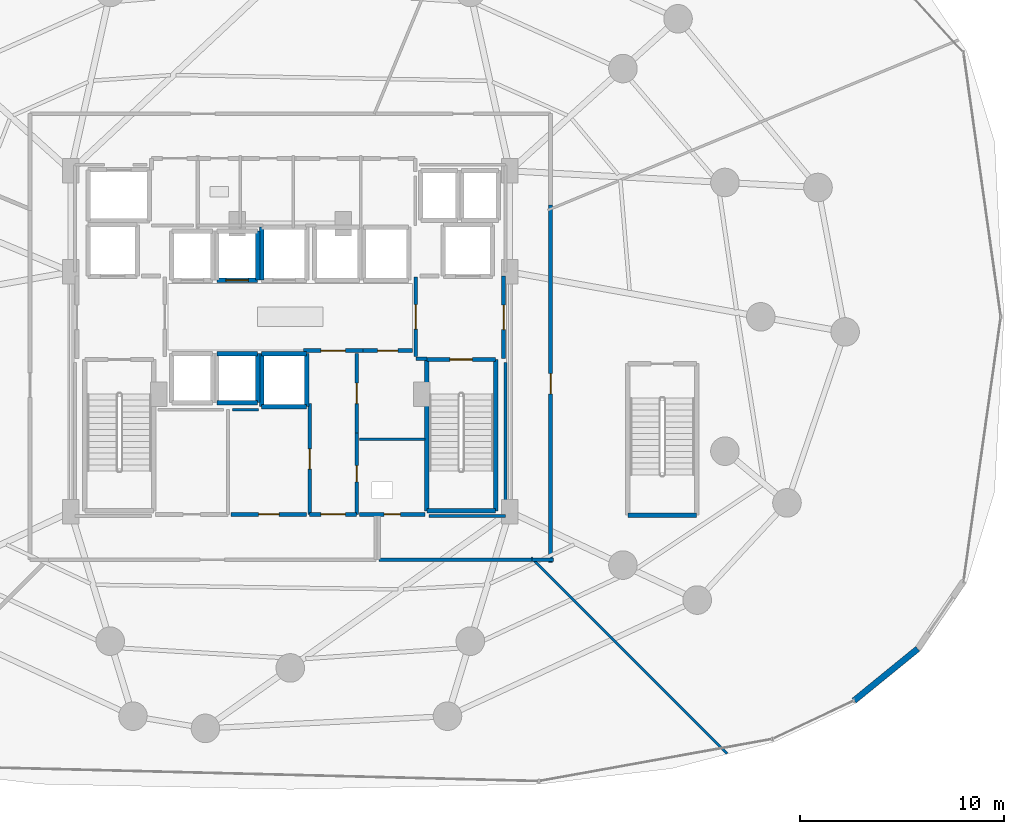
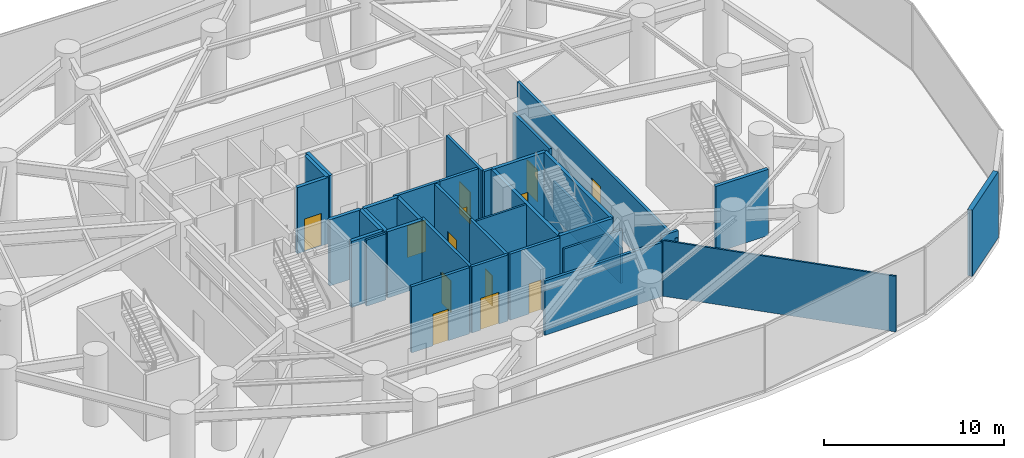
# One storey, part 22 of 26: 35 walls, 13 doors, 13 openings.
"""IFC4 building model written with IfcOpenShell, lengths in metres."""

from ifc_helpers import new_model, si_unit, direction, frame, frame_2d, origin, place, context, subcontext, project, spatial, rectangle, extrude, material, layer, layer_set, type_object, element, fill, save


model = new_model("IFC4")

# Units and contexts
model_context = context("Model", 3, precision=1e-05, world=origin(), true_north=direction((0.0, 1.0)))
body_context = subcontext(model_context, "Body", "Model", "MODEL_VIEW")
ifc_project = project(units=[si_unit("LENGTHUNIT", "METRE"), si_unit("AREAUNIT", "SQUARE_METRE"), si_unit("VOLUMEUNIT", "CUBIC_METRE"), si_unit("PLANEANGLEUNIT", "RADIAN"), si_unit("MASSUNIT", "GRAM", prefix="KILO")], contexts=[model_context])

# Site, building, storey
site_placement = place(None, origin())
site = spatial("IfcSite", under=ifc_project, at=site_placement, CompositionType="ELEMENT")
building_placement = place(site_placement, origin())
building = spatial("IfcBuilding", under=site, at=building_placement, Name="Vorneva Point Tower", CompositionType="ELEMENT")
storey_placement = place(building_placement, frame((0.0, 0.0, 14.39990234375)))
storey = spatial("IfcBuildingStorey", under=building, at=storey_placement, Name="L03", CompositionType="ELEMENT", Elevation=14.39990234375)

# Walls
ifc_material_1 = material(Name="Precast concrete B50 (C40/50)", Category="concrete")
ifc_layer_1 = layer(ifc_material_1, 0.300048828125)
ifc_layer_set_1 = layer_set([ifc_layer_1], Name="Precast concrete B50 (C40/50)")
wall_type_1 = type_object("IfcWallType", Name="WL-EXT-300", PredefinedType="STANDARD", material=ifc_layer_set_1)
wall_1_placement = place(storey_placement, frame((65.619873046875, 7.197509765625, 0.0), z_axis=(0.0, 0.0, 1.0), x_axis=(0.775604863632, 0.631218738244, 0.0)))
element("IfcWall", 1, at=wall_1_placement, inside=storey, type_object=wall_type_1, Name="L03 Pale-Metal Facade Spandrel Wall 15.1", PredefinedType="STANDARD", context=body_context, shape_type="SweptSolid", body=[
    extrude(rectangle(XDim=4.02099609375, YDim=0.300048828125, at=frame_2d((2.010498046875, 0.0))), origin(), (0.0, 0.0, 1.0), 4.47998046875),
])
ifc_material_2 = material(Name="Fire-rated acoustic gypsum stud partition", Category="gypsum")
ifc_layer_2 = layer(ifc_material_2, 0.110107421875)
ifc_layer_set_2 = layer_set([ifc_layer_2], Name="Fire-rated acoustic gypsum stud partition")
wall_type_2 = type_object("IfcWallType", Name="WL-PART-110", PredefinedType="PARTITIONING", material=ifc_layer_set_2)
wall_2_placement = place(storey_placement, frame((59.39599609375, 4.60400390625, 0.0), z_axis=(0.0, 0.0, 1.0), x_axis=(-0.707106781187, 0.707106781187, 0.0)))
element("IfcWall", 2, at=wall_2_placement, inside=storey, type_object=wall_type_2, Name="L03 Interior Partition 043", PredefinedType="PARTITIONING", context=body_context, shape_type="SweptSolid", body=[
    extrude(rectangle(XDim=13.5693359375, YDim=0.110107421875, at=frame_2d((6.78466796875, 0.0))), origin(), (0.0, 0.0, 1.0), 3.76904296875),
])
ifc_layer_3 = layer(ifc_material_2, 0.125)
ifc_layer_set_3 = layer_set([ifc_layer_3], Name="Fire-rated acoustic gypsum stud partition")
wall_type_3 = type_object("IfcWallType", Name="WL-PART-125", PredefinedType="PARTITIONING", material=ifc_layer_set_3)
wall_3_placement = place(storey_placement, frame((44.60009765625, 20.0, 0.0), z_axis=(0.0, 0.0, 1.0), x_axis=(-1.0, 0.0, 0.0)))
element("IfcWall", 3, at=wall_3_placement, inside=storey, type_object=wall_type_3, Name="L03 Interior Partition 015", PredefinedType="PARTITIONING", context=body_context, shape_type="SweptSolid", body=[
    extrude(rectangle(XDim=3.2001953125, YDim=0.125, at=frame_2d((1.60009765625, 0.0))), origin(), (0.0, 0.0, 1.0), 4.47998046875),
])
ifc_layer_4 = layer(ifc_material_2, 0.139892578125)
ifc_layer_set_4 = layer_set([ifc_layer_4], Name="Fire-rated acoustic gypsum stud partition")
wall_type_4 = type_object("IfcWallType", Name="WL-PART-140", PredefinedType="PARTITIONING", material=ifc_layer_set_4)
wall_4_placement = place(storey_placement, frame((36.43896484375, 21.449951171875, 0.0), z_axis=(0.0, 0.0, 1.0), x_axis=(-1.0, 0.0, 0.0)))
element("IfcWall", 4, at=wall_4_placement, inside=storey, type_object=wall_type_4, Name="L03 Interior Closure Partition 053", PredefinedType="PARTITIONING", context=body_context, shape_type="SweptSolid", body=[
    extrude(rectangle(XDim=1.259033203125, YDim=0.139892578125, at=frame_2d((0.62939453125, 0.0))), origin(), (0.0, 0.0, 1.0), 4.47998046875),
])
wall_5_placement = place(storey_placement, frame((48.550048828125, 23.75390625, 0.0), z_axis=(0.0, 0.0, 1.0), x_axis=(0.0, -1.0, 0.0)))
element("IfcWall", 5, at=wall_5_placement, inside=storey, type_object=wall_type_4, Name="L03 Interior Closure Partition 056", PredefinedType="PARTITIONING", context=body_context, shape_type="SweptSolid", body=[
    extrude(rectangle(XDim=7.513916015625, YDim=0.139892578125, at=frame_2d((3.7568359375, 0.0))), origin(), (0.0, 0.0, 1.0), 2.406005859375),
])
wall_6_placement = place(storey_placement, frame((48.550048828125, 16.239990234375, 0.0), z_axis=(0.0, 0.0, 1.0), x_axis=(-1.0, 0.0, 0.0)))
element("IfcWall", 6, at=wall_6_placement, inside=storey, type_object=wall_type_4, Name="L03 Interior Closure Partition 057", PredefinedType="PARTITIONING", context=body_context, shape_type="SweptSolid", body=[
    extrude(rectangle(XDim=3.7451171875, YDim=0.139892578125, at=frame_2d((1.87255859375, 0.0))), origin(), (0.0, 0.0, 1.0), 3.672119140625),
])

# Wall, opening, door
ifc_material_3 = material(Name="Autoclaved aerated concrete blockwork", Category="masonry")
ifc_layer_5 = layer(ifc_material_3, 0.179931640625)
ifc_layer_set_5 = layer_set([ifc_layer_5], Name="Autoclaved aerated concrete blockwork")
wall_type_5 = type_object("IfcWallType", Name="WL-PART-180", PredefinedType="PARTITIONING", material=ifc_layer_set_5)
wall_7_placement = place(storey_placement, frame((44.14990234375, 27.955078125, 0.0), z_axis=(0.0, 0.0, 1.0), x_axis=(0.0, -1.0, 0.0)))
wall_7 = element("IfcWall", 7, at=wall_7_placement, inside=storey, type_object=wall_type_5, Name="L03 Interior Partition 003", PredefinedType="PARTITIONING", context=body_context, shape_type="SweptSolid", body=[
    extrude(rectangle(XDim=3.91015625, YDim=0.179931640625, at=frame_2d((1.955078125, 0.0))), origin(), (0.0, 0.0, 1.0), 4.47998046875),
])
opening_1_placement = place(wall_7_placement, frame((1.35498046875, 0.0, 0.0)))
opening_1 = element("IfcOpeningElement", 8, at=opening_1_placement, cuts=wall_7, Name="Opening FD-02", PredefinedType="OPENING", context=body_context, shape_type="SweptSolid", body=[
    extrude(rectangle(XDim=1.199951171875, YDim=2.14990234375, at=frame_2d((0.60009765625, 1.074951171875))), frame((0.0, 0.10498046875, 0.0), z_axis=(0.0, -1.0, 0.0), x_axis=(1.0, 0.0, 0.0)), (0.0, 0.0, 1.0), 0.209716796875),
])
ifc_material_4 = material(Name="Fire-rated powder-coated steel", Category="steel")
door_type_1 = type_object("IfcDoorType", Name="DR-FFL-1200", OperationType="NOTDEFINED", PredefinedType="DOOR", material=ifc_material_4)
door_1_placement = place(opening_1_placement, origin())
door_1 = element("IfcDoor", 9, at=door_1_placement, inside=storey, type_object=door_type_1, Name="L03 Door East Firefighting Lobby / Central Lift Lobby", OperationType="SINGLE_SWING_LEFT", OverallHeight=2.14990234375, OverallWidth=1.199951171875, PredefinedType="DOOR", context=body_context, shape_type="SweptSolid", body=[
    extrude(rectangle(XDim=1.199951171875, YDim=2.14990234375, at=frame_2d((0.60009765625, 1.074951171875))), frame((0.0, 0.02490234375, 0.0), z_axis=(0.0, -1.0, 0.0), x_axis=(1.0, 0.0, 0.0)), (0.0, 0.0, 1.0), 0.050048828125),
])
fill(opening_1, door_1)

# Wall
wall_8_placement = place(storey_placement, frame((44.14990234375, 23.949951171875, 0.0), z_axis=(0.0, 0.0, 1.0), x_axis=(1.0, 0.0, 0.0)))
element("IfcWall", 10, at=wall_8_placement, inside=storey, type_object=wall_type_5, Name="L03 Interior Partition 004", PredefinedType="PARTITIONING", context=body_context, shape_type="SweptSolid", body=[
    extrude(rectangle(XDim=0.5400390625, YDim=0.179931640625, at=frame_2d((0.27001953125, 0.0))), origin(), (0.0, 0.0, 1.0), 4.47998046875),
])

# Wall, opening, door
wall_9_placement = place(storey_placement, frame((48.449951171875, 23.949951171875, 0.0), z_axis=(0.0, 0.0, 1.0), x_axis=(0.0, 1.0, 0.0)))
wall_9 = element("IfcWall", 11, at=wall_9_placement, inside=storey, type_object=wall_type_5, Name="L03 Interior Partition 005", PredefinedType="PARTITIONING", context=body_context, shape_type="SweptSolid", body=[
    extrude(rectangle(XDim=4.050048828125, YDim=0.179931640625, at=frame_2d((2.02490234375, 0.0))), origin(), (0.0, 0.0, 1.0), 4.47998046875),
])
opening_2_placement = place(wall_9_placement, frame((1.425048828125, 0.0, 0.0)))
opening_2 = element("IfcOpeningElement", 12, at=opening_2_placement, cuts=wall_9, Name="Opening FD-02", PredefinedType="OPENING", context=body_context, shape_type="SweptSolid", body=[
    extrude(rectangle(XDim=1.199951171875, YDim=2.14990234375, at=frame_2d((0.60009765625, 1.074951171875))), frame((0.0, 0.10498046875, 0.0), z_axis=(0.0, -1.0, 0.0), x_axis=(1.0, 0.0, 0.0)), (0.0, 0.0, 1.0), 0.209716796875),
])
door_2_placement = place(opening_2_placement, origin())
door_2 = element("IfcDoor", 13, at=door_2_placement, inside=storey, type_object=door_type_1, Name="L03 Door East Firefighting Lobby / L03 Circulation Corridor", OperationType="SINGLE_SWING_LEFT", OverallHeight=2.14990234375, OverallWidth=1.199951171875, PredefinedType="DOOR", context=body_context, shape_type="SweptSolid", body=[
    extrude(rectangle(XDim=1.199951171875, YDim=2.14990234375, at=frame_2d((0.60009765625, 1.074951171875))), frame((0.0, 0.02490234375, 0.0), z_axis=(0.0, -1.0, 0.0), x_axis=(1.0, 0.0, 0.0)), (0.0, 0.0, 1.0), 0.050048828125),
])
fill(opening_2, door_2)

wall_10_placement = place(storey_placement, frame((38.64501953125, 24.35009765625, 0.0), z_axis=(0.0, 0.0, 1.0), x_axis=(1.0, 0.0, 0.0)))
wall_10 = element("IfcWall", 14, at=wall_10_placement, inside=storey, type_object=wall_type_5, Name="L03 Interior Partition 009", PredefinedType="PARTITIONING", context=body_context, shape_type="SweptSolid", body=[
    extrude(rectangle(XDim=2.909912109375, YDim=0.179931640625, at=frame_2d((1.455078125, 0.0))), origin(), (0.0, 0.0, 1.0), 4.47998046875),
])
opening_3_placement = place(wall_10_placement, frame((0.85498046875, 0.0, 0.0)))
opening_3 = element("IfcOpeningElement", 15, at=opening_3_placement, cuts=wall_10, Name="Opening FD-02", PredefinedType="OPENING", context=body_context, shape_type="SweptSolid", body=[
    extrude(rectangle(XDim=1.199951171875, YDim=2.14990234375, at=frame_2d((0.60009765625, 1.074951171875))), frame((0.0, 0.10498046875, 0.0), z_axis=(0.0, -1.0, 0.0), x_axis=(1.0, 0.0, 0.0)), (0.0, 0.0, 1.0), 0.209716796875),
])
door_3_placement = place(opening_3_placement, origin())
door_3 = element("IfcDoor", 16, at=door_3_placement, inside=storey, type_object=door_type_1, Name="L03 Door Central Lift Lobby / Core Service Lobby", OperationType="SINGLE_SWING_RIGHT", OverallHeight=2.14990234375, OverallWidth=1.199951171875, PredefinedType="DOOR", context=body_context, shape_type="SweptSolid", body=[
    extrude(rectangle(XDim=1.199951171875, YDim=2.14990234375, at=frame_2d((0.60009765625, 1.074951171875))), frame((0.0, 0.02490234375, 0.0), z_axis=(0.0, -1.0, 0.0), x_axis=(1.0, 0.0, 0.0)), (0.0, 0.0, 1.0), 0.050048828125),
])
fill(opening_3, door_3)

wall_11_placement = place(storey_placement, frame((41.554931640625, 24.35009765625, 0.0), z_axis=(0.0, 0.0, 1.0), x_axis=(1.0, 0.0, 0.0)))
wall_11 = element("IfcWall", 17, at=wall_11_placement, inside=storey, type_object=wall_type_5, Name="L03 Interior Partition 010", PredefinedType="PARTITIONING", context=body_context, shape_type="SweptSolid", body=[
    extrude(rectangle(XDim=2.445068359375, YDim=0.179931640625, at=frame_2d((1.22265625, 0.0))), origin(), (0.0, 0.0, 1.0), 4.47998046875),
])
opening_4_placement = place(wall_11_placement, frame((0.722412109375, 0.0, 0.0)))
opening_4 = element("IfcOpeningElement", 18, at=opening_4_placement, cuts=wall_11, Name="Opening UD-01", PredefinedType="OPENING", context=body_context, shape_type="SweptSolid", body=[
    extrude(rectangle(XDim=1.0, YDim=2.14990234375, at=frame_2d((0.5, 1.074951171875))), frame((0.0, 0.10498046875, 0.0), z_axis=(0.0, -1.0, 0.0), x_axis=(1.0, 0.0, 0.0)), (0.0, 0.0, 1.0), 0.209716796875),
])
ifc_material_5 = material(Name="Engineered oak fire-rated door leaf", Category="wood")
door_type_2 = type_object("IfcDoorType", Name="DR-UNIT-1000", OperationType="NOTDEFINED", PredefinedType="DOOR", material=ifc_material_5)
door_4_placement = place(opening_4_placement, origin())
door_4 = element("IfcDoor", 19, at=door_4_placement, inside=storey, type_object=door_type_2, Name="L03 Door Central Lift Lobby / Floor Management Office", OperationType="SINGLE_SWING_LEFT", OverallHeight=2.14990234375, OverallWidth=1.0, PredefinedType="DOOR", context=body_context, shape_type="SweptSolid", body=[
    extrude(rectangle(XDim=1.0, YDim=2.14990234375, at=frame_2d((0.5, 1.074951171875))), frame((0.0, 0.02490234375, 0.0), z_axis=(0.0, -1.0, 0.0), x_axis=(1.0, 0.0, 0.0)), (0.0, 0.0, 1.0), 0.050048828125),
])
fill(opening_4, door_4)

wall_12_placement = place(storey_placement, frame((41.25, 16.320068359375, 0.0), z_axis=(0.0, 0.0, 1.0), x_axis=(0.0, 1.0, 0.0)))
wall_12 = element("IfcWall", 20, at=wall_12_placement, inside=storey, type_object=wall_type_5, Name="L03 Interior Partition 011", PredefinedType="PARTITIONING", context=body_context, shape_type="SweptSolid", body=[
    extrude(rectangle(XDim=3.98486328125, YDim=0.179931640625, at=frame_2d((1.992431640625, 0.0))), origin(), (0.0, 0.0, 1.0), 4.47998046875),
])
opening_5_placement = place(wall_12_placement, frame((1.592529296875, 0.0, 0.0)))
opening_5 = element("IfcOpeningElement", 21, at=opening_5_placement, cuts=wall_12, Name="Opening RD-01", PredefinedType="OPENING", context=body_context, shape_type="SweptSolid", body=[
    extrude(rectangle(XDim=0.800048828125, YDim=2.050048828125, at=frame_2d((0.39990234375, 1.02490234375))), frame((0.0, 0.10498046875, 0.0), z_axis=(0.0, -1.0, 0.0), x_axis=(1.0, 0.0, 0.0)), (0.0, 0.0, 1.0), 0.209716796875),
])
door_type_3 = type_object("IfcDoorType", Name="DR-RSR-800", OperationType="SINGLE_SWING_LEFT", PredefinedType="DOOR", material=ifc_material_4)
door_5_placement = place(opening_5_placement, origin())
door_5 = element("IfcDoor", 22, at=door_5_placement, inside=storey, type_object=door_type_3, Name="L03 Door Core Service Lobby / Electrical Riser", OperationType="SINGLE_SWING_RIGHT", OverallHeight=2.050048828125, OverallWidth=0.800048828125, PredefinedType="DOOR", context=body_context, shape_type="SweptSolid", body=[
    extrude(rectangle(XDim=0.800048828125, YDim=2.050048828125, at=frame_2d((0.39990234375, 1.02490234375))), frame((0.0, 0.02490234375, 0.0), z_axis=(0.0, -1.0, 0.0), x_axis=(1.0, 0.0, 0.0)), (0.0, 0.0, 1.0), 0.050048828125),
])
fill(opening_5, door_5)

wall_13_placement = place(storey_placement, frame((41.25, 20.304931640625, 0.0), z_axis=(0.0, 0.0, 1.0), x_axis=(0.0, 1.0, 0.0)))
wall_13 = element("IfcWall", 23, at=wall_13_placement, inside=storey, type_object=wall_type_5, Name="L03 Interior Partition 012", PredefinedType="PARTITIONING", context=body_context, shape_type="SweptSolid", body=[
    extrude(rectangle(XDim=3.89501953125, YDim=0.179931640625, at=frame_2d((1.947509765625, 0.0))), origin(), (0.0, 0.0, 1.0), 4.47998046875),
])
opening_6_placement = place(wall_13_placement, frame((1.447509765625, 0.0, 0.0)))
opening_6 = element("IfcOpeningElement", 24, at=opening_6_placement, cuts=wall_13, Name="Opening UD-01", PredefinedType="OPENING", context=body_context, shape_type="SweptSolid", body=[
    extrude(rectangle(XDim=1.0, YDim=2.14990234375, at=frame_2d((0.5, 1.074951171875))), frame((0.0, 0.10498046875, 0.0), z_axis=(0.0, -1.0, 0.0), x_axis=(1.0, 0.0, 0.0)), (0.0, 0.0, 1.0), 0.209716796875),
])
door_6_placement = place(opening_6_placement, origin())
door_6 = element("IfcDoor", 25, at=door_6_placement, inside=storey, type_object=door_type_2, Name="L03 Door Core Service Lobby / Floor Management Office", OperationType="SINGLE_SWING_LEFT", OverallHeight=2.14990234375, OverallWidth=1.0, PredefinedType="DOOR", context=body_context, shape_type="SweptSolid", body=[
    extrude(rectangle(XDim=1.0, YDim=2.14990234375, at=frame_2d((0.5, 1.074951171875))), frame((0.0, 0.02490234375, 0.0), z_axis=(0.0, -1.0, 0.0), x_axis=(1.0, 0.0, 0.0)), (0.0, 0.0, 1.0), 0.050048828125),
])
fill(opening_6, door_6)

wall_14_placement = place(storey_placement, frame((38.949951171875, 21.7548828125, 0.0), z_axis=(0.0, 0.0, 1.0), x_axis=(0.0, -1.0, 0.0)))
wall_14 = element("IfcWall", 26, at=wall_14_placement, inside=storey, type_object=wall_type_5, Name="L03 Interior Partition 013", PredefinedType="PARTITIONING", context=body_context, shape_type="SweptSolid", body=[
    extrude(rectangle(XDim=5.434814453125, YDim=0.179931640625, at=frame_2d((2.71728515625, 0.0))), origin(), (0.0, 0.0, 1.0), 4.47998046875),
])
opening_7_placement = place(wall_14_placement, frame((2.217529296875, 0.0, 0.0)))
opening_7 = element("IfcOpeningElement", 27, at=opening_7_placement, cuts=wall_14, Name="Opening UD-01", PredefinedType="OPENING", context=body_context, shape_type="SweptSolid", body=[
    extrude(rectangle(XDim=1.0, YDim=2.14990234375, at=frame_2d((0.5, 1.074951171875))), frame((0.0, 0.10498046875, 0.0), z_axis=(0.0, -1.0, 0.0), x_axis=(1.0, 0.0, 0.0)), (0.0, 0.0, 1.0), 0.209716796875),
])
door_7_placement = place(opening_7_placement, origin())
door_7 = element("IfcDoor", 28, at=door_7_placement, inside=storey, type_object=door_type_2, Name="L03 Door Core Service Lobby / Staff Service Pantry", OperationType="SINGLE_SWING_RIGHT", OverallHeight=2.14990234375, OverallWidth=1.0, PredefinedType="DOOR", context=body_context, shape_type="SweptSolid", body=[
    extrude(rectangle(XDim=1.0, YDim=2.14990234375, at=frame_2d((0.5, 1.074951171875))), frame((0.0, 0.02490234375, 0.0), z_axis=(0.0, -1.0, 0.0), x_axis=(1.0, 0.0, 0.0)), (0.0, 0.0, 1.0), 0.050048828125),
])
fill(opening_7, door_7)

wall_15_placement = place(storey_placement, frame((38.949951171875, 16.320068359375, 0.0), z_axis=(0.0, 0.0, 1.0), x_axis=(1.0, 0.0, 0.0)))
wall_15 = element("IfcWall", 29, at=wall_15_placement, inside=storey, type_object=wall_type_5, Name="L03 Interior Partition 014", PredefinedType="PARTITIONING", context=body_context, shape_type="SweptSolid", body=[
    extrude(rectangle(XDim=2.300048828125, YDim=0.179931640625, at=frame_2d((1.14990234375, 0.0))), origin(), (0.0, 0.0, 1.0), 4.47998046875),
])
opening_8_placement = place(wall_15_placement, frame((0.550048828125, 0.0, 0.0)))
opening_8 = element("IfcOpeningElement", 30, at=opening_8_placement, cuts=wall_15, Name="Opening FD-02", PredefinedType="OPENING", context=body_context, shape_type="SweptSolid", body=[
    extrude(rectangle(XDim=1.199951171875, YDim=2.14990234375, at=frame_2d((0.60009765625, 1.074951171875))), frame((0.0, 0.10498046875, 0.0), z_axis=(0.0, -1.0, 0.0), x_axis=(1.0, 0.0, 0.0)), (0.0, 0.0, 1.0), 0.209716796875),
])
door_8_placement = place(opening_8_placement, origin())
door_8 = element("IfcDoor", 31, at=door_8_placement, inside=storey, type_object=door_type_1, Name="L03 Door Core Service Lobby / L03 Circulation Corridor", OperationType="SINGLE_SWING_LEFT", OverallHeight=2.14990234375, OverallWidth=1.199951171875, PredefinedType="DOOR", context=body_context, shape_type="SweptSolid", body=[
    extrude(rectangle(XDim=1.199951171875, YDim=2.14990234375, at=frame_2d((0.60009765625, 1.074951171875))), frame((0.0, 0.02490234375, 0.0), z_axis=(0.0, -1.0, 0.0), x_axis=(1.0, 0.0, 0.0)), (0.0, 0.0, 1.0), 0.050048828125),
])
fill(opening_8, door_8)

wall_16_placement = place(storey_placement, frame((41.39990234375, 16.320068359375, 0.0), z_axis=(0.0, 0.0, 1.0), x_axis=(1.0, 0.0, 0.0)))
wall_16 = element("IfcWall", 32, at=wall_16_placement, inside=storey, type_object=wall_type_5, Name="L03 Interior Partition 016", PredefinedType="PARTITIONING", context=body_context, shape_type="SweptSolid", body=[
    extrude(rectangle(XDim=3.2001953125, YDim=0.179931640625, at=frame_2d((1.60009765625, 0.0))), origin(), (0.0, 0.0, 1.0), 4.47998046875),
])
opening_9_placement = place(wall_16_placement, frame((1.199951171875, 0.0, 0.0)))
opening_9 = element("IfcOpeningElement", 33, at=opening_9_placement, cuts=wall_16, Name="Opening RD-01", PredefinedType="OPENING", context=body_context, shape_type="SweptSolid", body=[
    extrude(rectangle(XDim=0.800048828125, YDim=2.050048828125, at=frame_2d((0.39990234375, 1.02490234375))), frame((0.0, 0.10498046875, 0.0), z_axis=(0.0, -1.0, 0.0), x_axis=(1.0, 0.0, 0.0)), (0.0, 0.0, 1.0), 0.209716796875),
])
door_9_placement = place(opening_9_placement, origin())
door_9 = element("IfcDoor", 34, at=door_9_placement, inside=storey, type_object=door_type_3, Name="L03 Door Electrical Riser / L03 Circulation Corridor", OperationType="SINGLE_SWING_RIGHT", OverallHeight=2.050048828125, OverallWidth=0.800048828125, PredefinedType="DOOR", context=body_context, shape_type="SweptSolid", body=[
    extrude(rectangle(XDim=0.800048828125, YDim=2.050048828125, at=frame_2d((0.39990234375, 1.02490234375))), frame((0.0, 0.02490234375, 0.0), z_axis=(0.0, -1.0, 0.0), x_axis=(1.0, 0.0, 0.0)), (0.0, 0.0, 1.0), 0.050048828125),
])
fill(opening_9, door_9)

wall_17_placement = place(storey_placement, frame((35.10009765625, 16.320068359375, 0.0), z_axis=(0.0, 0.0, 1.0), x_axis=(1.0, 0.0, 0.0)))
wall_17 = element("IfcWall", 35, at=wall_17_placement, inside=storey, type_object=wall_type_5, Name="L03 Interior Partition 027", PredefinedType="PARTITIONING", context=body_context, shape_type="SweptSolid", body=[
    extrude(rectangle(XDim=3.699951171875, YDim=0.179931640625, at=frame_2d((1.85009765625, 0.0))), origin(), (0.0, 0.0, 1.0), 4.47998046875),
])
opening_10_placement = place(wall_17_placement, frame((1.35009765625, 0.0, 0.0)))
opening_10 = element("IfcOpeningElement", 36, at=opening_10_placement, cuts=wall_17, Name="Opening UD-01", PredefinedType="OPENING", context=body_context, shape_type="SweptSolid", body=[
    extrude(rectangle(XDim=1.0, YDim=2.14990234375, at=frame_2d((0.5, 1.074951171875))), frame((0.0, 0.10498046875, 0.0), z_axis=(0.0, -1.0, 0.0), x_axis=(1.0, 0.0, 0.0)), (0.0, 0.0, 1.0), 0.209716796875),
])
door_10_placement = place(opening_10_placement, origin())
door_10 = element("IfcDoor", 37, at=door_10_placement, inside=storey, type_object=door_type_2, Name="L03 Door Staff Service Pantry / L03 Circulation Corridor", OperationType="SINGLE_SWING_RIGHT", OverallHeight=2.14990234375, OverallWidth=1.0, PredefinedType="DOOR", context=body_context, shape_type="SweptSolid", body=[
    extrude(rectangle(XDim=1.0, YDim=2.14990234375, at=frame_2d((0.5, 1.074951171875))), frame((0.0, 0.02490234375, 0.0), z_axis=(0.0, -1.0, 0.0), x_axis=(1.0, 0.0, 0.0)), (0.0, 0.0, 1.0), 0.050048828125),
])
fill(opening_10, door_10)

# Walls
wall_18_placement = place(storey_placement, frame((42.340087890625, 14.10009765625, 0.0), z_axis=(0.0, 0.0, 1.0), x_axis=(1.0, 0.0, 0.0)))
element("IfcWall", 38, at=wall_18_placement, inside=storey, type_object=wall_type_5, Name="L03 Interior Partition 033", PredefinedType="PARTITIONING", context=body_context, shape_type="SweptSolid", body=[
    extrude(rectangle(XDim=7.64501953125, YDim=0.179931640625, at=frame_2d((3.822509765625, 0.0))), origin(), (0.0, 0.0, 1.0), 3.672119140625),
])
wall_19_placement = place(storey_placement, frame((49.844970703125, 14.10009765625, 0.0), z_axis=(0.0, 0.0, 1.0), x_axis=(1.0, 0.0, 0.0)))
element("IfcWall", 39, at=wall_19_placement, inside=storey, type_object=wall_type_5, Name="L03 Interior Partition 036", PredefinedType="PARTITIONING", context=body_context, shape_type="SweptSolid", body=[
    extrude(rectangle(XDim=1.044921875, YDim=0.179931640625, at=frame_2d((0.5224609375, 0.0))), origin(), (0.0, 0.0, 1.0), 4.114013671875),
])

# Wall, opening, door
wall_20_placement = place(storey_placement, frame((50.75, 13.9599609375, 0.0), z_axis=(0.0, 0.0, 1.0), x_axis=(0.0, 1.0, 0.0)))
wall_20 = element("IfcWall", 40, at=wall_20_placement, inside=storey, type_object=wall_type_5, Name="L03 Interior Partition 037", PredefinedType="PARTITIONING", context=body_context, shape_type="SweptSolid", body=[
    extrude(rectangle(XDim=17.526123046875, YDim=0.179931640625, at=frame_2d((8.76318359375, 0.0))), origin(), (0.0, 0.0, 1.0), 3.672119140625),
])
opening_11_placement = place(wall_20_placement, frame((8.262939453125, 0.0, 0.0)))
opening_11 = element("IfcOpeningElement", 41, at=opening_11_placement, cuts=wall_20, Name="Opening UD-01", PredefinedType="OPENING", context=body_context, shape_type="SweptSolid", body=[
    extrude(rectangle(XDim=1.0, YDim=2.14990234375, at=frame_2d((0.5, 1.074951171875))), frame((0.0, 0.10498046875, 0.0), z_axis=(0.0, -1.0, 0.0), x_axis=(1.0, 0.0, 0.0)), (0.0, 0.0, 1.0), 0.209716796875),
])
door_11_placement = place(opening_11_placement, origin())
door_11 = element("IfcDoor", 42, at=door_11_placement, inside=storey, type_object=door_type_2, Name="L03 Door L03 Circulation Corridor / Banquet Catering Kitchen L03", OperationType="SINGLE_SWING_RIGHT", OverallHeight=2.14990234375, OverallWidth=1.0, PredefinedType="DOOR", context=body_context, shape_type="SweptSolid", body=[
    extrude(rectangle(XDim=1.0, YDim=2.14990234375, at=frame_2d((0.5, 1.074951171875))), frame((0.0, 0.02490234375, 0.0), z_axis=(0.0, -1.0, 0.0), x_axis=(1.0, 0.0, 0.0)), (0.0, 0.0, 1.0), 0.050048828125),
])
fill(opening_11, door_11)

ifc_material_6 = material(Name="Concrete B50 (C40/50)", Category="concrete")
ifc_layer_6 = layer(ifc_material_6, 0.219970703125)
ifc_layer_set_6 = layer_set([ifc_layer_6], Name="Concrete B50 (C40/50)")
wall_type_6 = type_object("IfcWallType", Name="WL-SHFT-220", PredefinedType="SOLIDWALL", material=ifc_layer_set_6)
wall_21_placement = place(storey_placement, frame((44.68994140625, 23.909912109375, 0.0), z_axis=(0.0, 0.0, 1.0), x_axis=(1.0, 0.0, 0.0)))
wall_21 = element("IfcWall", 43, at=wall_21_placement, inside=storey, type_object=wall_type_6, Name="L03 Exit Stair ST2 Shaft Wall near", PredefinedType="SOLIDWALL", context=body_context, shape_type="SweptSolid", body=[
    extrude(rectangle(XDim=3.3701171875, YDim=0.219970703125, at=frame_2d((1.68505859375, 0.0))), origin(), (0.0, 0.0, 1.0), 4.47998046875),
])
opening_12_placement = place(wall_21_placement, frame((1.135009765625, 0.0, 0.0)))
opening_12 = element("IfcOpeningElement", 44, at=opening_12_placement, cuts=wall_21, Name="Opening FD-01", PredefinedType="OPENING", context=body_context, shape_type="SweptSolid", body=[
    extrude(rectangle(XDim=1.10009765625, YDim=2.14990234375, at=frame_2d((0.550048828125, 1.074951171875))), frame((0.0, 0.125, 0.0), z_axis=(0.0, -1.0, 0.0), x_axis=(1.0, 0.0, 0.0)), (0.0, 0.0, 1.0), 0.249755859375),
])
door_type_4 = type_object("IfcDoorType", Name="DR-STAIR-1100", OperationType="NOTDEFINED", PredefinedType="DOOR", material=ifc_material_4)
door_12_placement = place(opening_12_placement, origin())
door_12 = element("IfcDoor", 45, at=door_12_placement, inside=storey, type_object=door_type_4, Name="L03 Exit Stair ST2 Fire Door", OperationType="SINGLE_SWING_RIGHT", OverallHeight=2.14990234375, OverallWidth=1.10009765625, PredefinedType="DOOR", context=body_context, shape_type="SweptSolid", body=[
    extrude(rectangle(XDim=1.10009765625, YDim=2.14990234375, at=frame_2d((0.550048828125, 1.074951171875))), frame((0.0, 0.02490234375, 0.0), z_axis=(0.0, -1.0, 0.0), x_axis=(1.0, 0.0, 0.0)), (0.0, 0.0, 1.0), 0.050048828125),
])
fill(opening_12, door_12)

# Walls
wall_22_placement = place(storey_placement, frame((48.06005859375, 23.909912109375, 0.0), z_axis=(0.0, 0.0, 1.0), x_axis=(0.0, -1.0, 0.0)))
element("IfcWall", 46, at=wall_22_placement, inside=storey, type_object=wall_type_6, Name="L03 Exit Stair ST2 Shaft Wall right", PredefinedType="SOLIDWALL", context=body_context, shape_type="SweptSolid", body=[
    extrude(rectangle(XDim=7.419921875, YDim=0.219970703125, at=frame_2d((3.7099609375, 0.0))), origin(), (0.0, 0.0, 1.0), 4.47998046875),
])
wall_23_placement = place(storey_placement, frame((48.06005859375, 16.489990234375, 0.0), z_axis=(0.0, 0.0, 1.0), x_axis=(-1.0, 0.0, 0.0)))
element("IfcWall", 47, at=wall_23_placement, inside=storey, type_object=wall_type_6, Name="L03 Exit Stair ST2 Shaft Wall far", PredefinedType="SOLIDWALL", context=body_context, shape_type="SweptSolid", body=[
    extrude(rectangle(XDim=3.3701171875, YDim=0.219970703125, at=frame_2d((1.68505859375, 0.0))), origin(), (0.0, 0.0, 1.0), 4.47998046875),
])
wall_24_placement = place(storey_placement, frame((44.68994140625, 16.489990234375, 0.0), z_axis=(0.0, 0.0, 1.0), x_axis=(0.0, 1.0, 0.0)))
element("IfcWall", 48, at=wall_24_placement, inside=storey, type_object=wall_type_6, Name="L03 Exit Stair ST2 Shaft Wall left", PredefinedType="SOLIDWALL", context=body_context, shape_type="SweptSolid", body=[
    extrude(rectangle(XDim=7.419921875, YDim=0.219970703125, at=frame_2d((3.7099609375, 0.0))), origin(), (0.0, 0.0, 1.0), 4.47998046875),
])
wall_25_placement = place(storey_placement, frame((57.909912109375, 16.2900390625, 0.0), z_axis=(0.0, 0.0, 1.0), x_axis=(-1.0, 0.0, 0.0)))
element("IfcWall", 49, at=wall_25_placement, inside=storey, type_object=wall_type_6, Name="L03 Exit Stair ST4 Shaft Wall far", PredefinedType="SOLIDWALL", context=body_context, shape_type="SweptSolid", body=[
    extrude(rectangle(XDim=3.369873046875, YDim=0.219970703125, at=frame_2d((1.68505859375, 0.0))), origin(), (0.0, 0.0, 1.0), 4.47998046875),
])

# Wall, opening, door
wall_26_placement = place(storey_placement, frame((34.39990234375, 27.800048828125, 0.0), z_axis=(0.0, 0.0, 1.0), x_axis=(1.0, 0.0, 0.0)))
wall_26 = element("IfcWall", 50, at=wall_26_placement, inside=storey, type_object=wall_type_6, Name="L03 Lift PL2 Shaft Wall -Y", PredefinedType="SOLIDWALL", context=body_context, shape_type="SweptSolid", body=[
    extrude(rectangle(XDim=2.0, YDim=0.219970703125, at=frame_2d((1.0, 0.0))), origin(), (0.0, 0.0, 1.0), 4.47998046875),
])
opening_13_placement = place(wall_26_placement, frame((0.449951171875, 0.0, 0.0)))
opening_13 = element("IfcOpeningElement", 51, at=opening_13_placement, cuts=wall_26, Name="Opening LD-01", PredefinedType="OPENING", context=body_context, shape_type="SweptSolid", body=[
    extrude(rectangle(XDim=1.10009765625, YDim=2.199951171875, at=frame_2d((0.550048828125, 1.10009765625))), frame((0.0, 0.125, 0.0), z_axis=(0.0, -1.0, 0.0), x_axis=(1.0, 0.0, 0.0)), (0.0, 0.0, 1.0), 0.249755859375),
])
ifc_material_7 = material(Name="Brushed stainless steel S304", Category="steel")
door_type_5 = type_object("IfcDoorType", Name="LD-PASS-1100", OperationType="SLIDING_TO_LEFT", PredefinedType="DOOR", material=ifc_material_7)
door_13_placement = place(opening_13_placement, origin())
door_13 = element("IfcDoor", 52, at=door_13_placement, inside=storey, type_object=door_type_5, Name="L03 Lift PL2 Sliding Landing Door", OperationType="SLIDING_TO_LEFT", OverallHeight=2.199951171875, OverallWidth=1.10009765625, PredefinedType="DOOR", context=body_context, shape_type="SweptSolid", body=[
    extrude(rectangle(XDim=1.10009765625, YDim=2.199951171875, at=frame_2d((0.550048828125, 1.10009765625))), frame((0.0, 0.02490234375, 0.0), z_axis=(0.0, -1.0, 0.0), x_axis=(1.0, 0.0, 0.0)), (0.0, 0.0, 1.0), 0.050048828125),
])
fill(opening_13, door_13)

# Walls
wall_27_placement = place(storey_placement, frame((36.39990234375, 27.800048828125, 0.0), z_axis=(0.0, 0.0, 1.0), x_axis=(0.0, 1.0, 0.0)))
element("IfcWall", 53, at=wall_27_placement, inside=storey, type_object=wall_type_6, Name="L03 Lift PL2 Shaft Wall +X", PredefinedType="SOLIDWALL", context=body_context, shape_type="SweptSolid", body=[
    extrude(rectangle(XDim=2.39990234375, YDim=0.219970703125, at=frame_2d((1.199951171875, 0.0))), origin(), (0.0, 0.0, 1.0), 4.47998046875),
])
wall_28_placement = place(storey_placement, frame((36.60009765625, 30.39990234375, 0.0), z_axis=(0.0, 0.0, 1.0), x_axis=(0.0, -1.0, 0.0)))
element("IfcWall", 54, at=wall_28_placement, inside=storey, type_object=wall_type_6, Name="L03 Lift PL3 Shaft Wall -X", PredefinedType="SOLIDWALL", context=body_context, shape_type="SweptSolid", body=[
    extrude(rectangle(XDim=2.599853515625, YDim=0.219970703125, at=frame_2d((1.2998046875, 0.0))), origin(), (0.0, 0.0, 1.0), 4.47998046875),
])
wall_29_placement = place(storey_placement, frame((34.39990234375, 21.800048828125, 0.0), z_axis=(0.0, 0.0, 1.0), x_axis=(1.0, 0.0, 0.0)))
element("IfcWall", 55, at=wall_29_placement, inside=storey, type_object=wall_type_6, Name="L03 Lift PL5 Shaft Wall -Y", PredefinedType="SOLIDWALL", context=body_context, shape_type="SweptSolid", body=[
    extrude(rectangle(XDim=2.0, YDim=0.219970703125, at=frame_2d((1.0, 0.0))), origin(), (0.0, 0.0, 1.0), 4.47998046875),
])
wall_30_placement = place(storey_placement, frame((36.39990234375, 21.800048828125, 0.0), z_axis=(0.0, 0.0, 1.0), x_axis=(0.0, 1.0, 0.0)))
element("IfcWall", 56, at=wall_30_placement, inside=storey, type_object=wall_type_6, Name="L03 Lift PL5 Shaft Wall +X", PredefinedType="SOLIDWALL", context=body_context, shape_type="SweptSolid", body=[
    extrude(rectangle(XDim=2.39990234375, YDim=0.219970703125, at=frame_2d((1.199951171875, 0.0))), origin(), (0.0, 0.0, 1.0), 4.47998046875),
])
wall_31_placement = place(storey_placement, frame((36.39990234375, 24.199951171875, 0.0), z_axis=(0.0, 0.0, 1.0), x_axis=(-1.0, 0.0, 0.0)))
element("IfcWall", 57, at=wall_31_placement, inside=storey, type_object=wall_type_6, Name="L03 Lift PL5 Shaft Wall +Y", PredefinedType="SOLIDWALL", context=body_context, shape_type="SweptSolid", body=[
    extrude(rectangle(XDim=2.0, YDim=0.219970703125, at=frame_2d((1.0, 0.0))), origin(), (0.0, 0.0, 1.0), 4.47998046875),
])
wall_32_placement = place(storey_placement, frame((36.60009765625, 21.60009765625, 0.0), z_axis=(0.0, 0.0, 1.0), x_axis=(1.0, 0.0, 0.0)))
element("IfcWall", 58, at=wall_32_placement, inside=storey, type_object=wall_type_6, Name="L03 Lift PL6 Shaft Wall -Y", PredefinedType="SOLIDWALL", context=body_context, shape_type="SweptSolid", body=[
    extrude(rectangle(XDim=2.199951171875, YDim=0.219970703125, at=frame_2d((1.10009765625, 0.0))), origin(), (0.0, 0.0, 1.0), 4.47998046875),
])
wall_33_placement = place(storey_placement, frame((38.800048828125, 21.60009765625, 0.0), z_axis=(0.0, 0.0, 1.0), x_axis=(0.0, 1.0, 0.0)))
element("IfcWall", 59, at=wall_33_placement, inside=storey, type_object=wall_type_6, Name="L03 Lift PL6 Shaft Wall +X", PredefinedType="SOLIDWALL", context=body_context, shape_type="SweptSolid", body=[
    extrude(rectangle(XDim=2.599853515625, YDim=0.219970703125, at=frame_2d((1.2998046875, 0.0))), origin(), (0.0, 0.0, 1.0), 4.47998046875),
])
wall_34_placement = place(storey_placement, frame((38.800048828125, 24.199951171875, 0.0), z_axis=(0.0, 0.0, 1.0), x_axis=(-1.0, 0.0, 0.0)))
element("IfcWall", 60, at=wall_34_placement, inside=storey, type_object=wall_type_6, Name="L03 Lift PL6 Shaft Wall +Y", PredefinedType="SOLIDWALL", context=body_context, shape_type="SweptSolid", body=[
    extrude(rectangle(XDim=2.199951171875, YDim=0.219970703125, at=frame_2d((1.10009765625, 0.0))), origin(), (0.0, 0.0, 1.0), 4.47998046875),
])
wall_35_placement = place(storey_placement, frame((36.60009765625, 24.199951171875, 0.0), z_axis=(0.0, 0.0, 1.0), x_axis=(0.0, -1.0, 0.0)))
element("IfcWall", 61, at=wall_35_placement, inside=storey, type_object=wall_type_6, Name="L03 Lift PL6 Shaft Wall -X", PredefinedType="SOLIDWALL", context=body_context, shape_type="SweptSolid", body=[
    extrude(rectangle(XDim=2.599853515625, YDim=0.219970703125, at=frame_2d((1.2998046875, 0.0))), origin(), (0.0, 0.0, 1.0), 4.47998046875),
])

save(model, "model.ifc")
